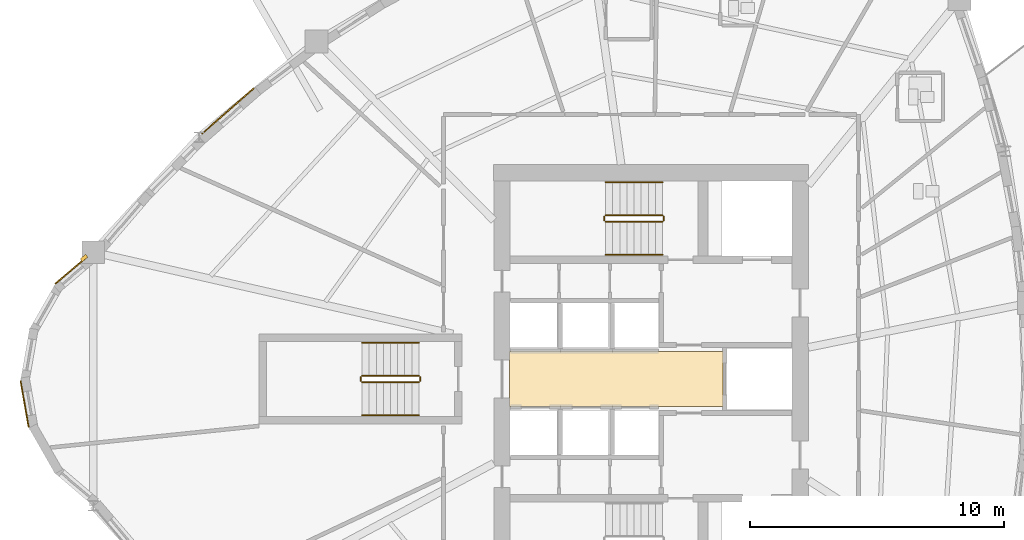
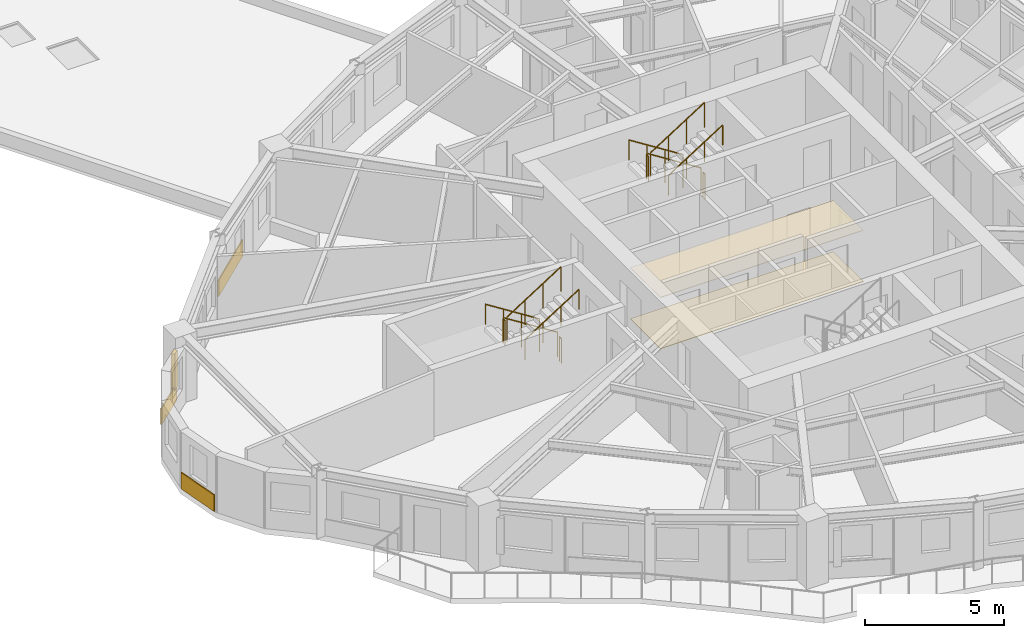
# One storey, part 11 of 13: 12 railings, 5 coverings, 1 shading device.
"""IFC4 building model written with IfcOpenShell, lengths in metres."""

from ifc_helpers import new_model, si_unit, direction, frame, origin, origin_2d, place, context, subcontext, project, spatial, polyline, rectangle, circle, outline, extrude, source, transform, mapped, material, layer, layer_set, type_object, element, save


model = new_model("IFC4")

# Units and contexts
model_context = context("Model", 3, precision=1e-05, world=origin(), true_north=direction((0.0, 1.0)))
body_context = subcontext(model_context, "Body", "Model", "MODEL_VIEW")
ifc_project = project(units=[si_unit("LENGTHUNIT", "METRE"), si_unit("AREAUNIT", "SQUARE_METRE"), si_unit("VOLUMEUNIT", "CUBIC_METRE"), si_unit("PLANEANGLEUNIT", "RADIAN"), si_unit("MASSUNIT", "GRAM", prefix="KILO")], contexts=[model_context])

# Site, building, storey
site_placement = place(None, origin())
site = spatial("IfcSite", under=ifc_project, at=site_placement, CompositionType="ELEMENT")
building_placement = place(site_placement, origin())
building = spatial("IfcBuilding", under=site, at=building_placement, Name="Qafzar Sky-Pleat Residences", CompositionType="ELEMENT")
storey_placement = place(building_placement, frame((0.0, 0.0, 89.60009765625)))
storey = spatial("IfcBuildingStorey", under=building, at=storey_placement, Name="L26", CompositionType="ELEMENT", Elevation=89.60009765625)

# Coverings
ifc_material_1 = material(Name="Perforated acoustic gypsum board ceiling")
ifc_layer_1 = layer(ifc_material_1, 0.02001953125)
ifc_layer_set_1 = layer_set([ifc_layer_1], Name="Perforated acoustic gypsum board ceiling")
covering_type_1 = type_object("IfcCoveringType", Name="COV-CEIL-ACOUSTIC", PredefinedType="CEILING", material=ifc_layer_set_1)
covering_1_placement = place(storey_placement, frame((0.0, 0.0, 2.239990234375)))
element("IfcCovering", 1, at=covering_1_placement, inside=storey, type_object=covering_type_1, Name="L26 Passenger Lift Lobby Acoustic Ceiling", PredefinedType="CEILING", context=body_context, shape_type="SweptSolid", body=[
    extrude(outline(polyline([(33.179931640625, 24.919921875), (24.77001953125, 24.919921875), (24.77001953125, 27.080078125), (33.179931640625, 27.080078125), (33.179931640625, 24.919921875)])), origin(), (0.0, 0.0, 1.0), 0.02001953125),
])
ifc_material_2 = material(Name="Honed porcelain and Riyadh stone tile flooring", Category="masonry")
ifc_layer_2 = layer(ifc_material_2, 0.02001953125)
ifc_layer_set_2 = layer_set([ifc_layer_2], Name="Honed porcelain and Riyadh stone tile flooring")
covering_type_2 = type_object("IfcCoveringType", Name="COV-FLR-PORCELAIN", PredefinedType="FLOORING", material=ifc_layer_set_2)
covering_2_placement = place(storey_placement, origin())
element("IfcCovering", 2, at=covering_2_placement, inside=storey, type_object=covering_type_2, Name="L26 Passenger Lift Lobby Honed Stone Flooring", PredefinedType="FLOORING", context=body_context, shape_type="SweptSolid", body=[
    extrude(outline(polyline([(33.179931640625, 24.919921875), (24.77001953125, 24.919921875), (24.77001953125, 27.080078125), (33.179931640625, 27.080078125), (33.179931640625, 24.919921875)])), origin(), (0.0, 0.0, 1.0), 0.02001953125),
])

# Shading device
ifc_material_3 = material(Name="Honed Riyadh limestone solar fin", Category="masonry")
ifc_layer_3 = layer(ifc_material_3, 0.139892578125)
ifc_layer_set_3 = layer_set([ifc_layer_3], Name="Honed Riyadh limestone solar fin")
shading_device_type = type_object("IfcShadingDeviceType", Name="SHD-FIN-STONE", PredefinedType="SHUTTER", material=ifc_layer_set_3)
shared_shape_1 = source(origin(), body_context, "Body", "SweptSolid", [
    extrude(rectangle(XDim=0.139892578125, YDim=0.280029296875, at=origin_2d()), origin(), (0.0, 0.0, 1.0), 1.60009765625),
])
shading_device_placement = place(storey_placement, frame((8.001220703125, 30.771728515625, 0.599853515625), z_axis=(0.0, 0.0, 1.0), x_axis=(-0.648553503037, 0.761169070377, 0.0)))
element("IfcShadingDevice", 3, at=shading_device_placement, inside=storey, type_object=shading_device_type, Name="L26 Limestone Solar Fin 1", PredefinedType="SHUTTER", context=body_context, shape_type="MappedRepresentation", body=[
    mapped(shared_shape_1, transform((0.0, 0.0, 0.0), x_axis=(1.0, 0.0, 0.0), y_axis=(0.0, 1.0, 0.0), z_axis=(0.0, 0.0, 1.0), scale=1.0)),
])

# Coverings
ifc_material_4 = material(Name="Honed Riyadh Tuwaiq limestone cladding", Category="masonry")
ifc_layer_4 = layer(ifc_material_4, 0.044921875)
ifc_layer_set_4 = layer_set([ifc_layer_4], Name="Honed Riyadh Tuwaiq limestone cladding")
covering_type_3 = type_object("IfcCoveringType", Name="COV-CLAD-STONE", PredefinedType="CLADDING", material=ifc_layer_set_4)
shared_shape_2 = source(origin(), body_context, "Body", "SweptSolid", [
    extrude(rectangle(XDim=1.86572265625, YDim=0.044921875, at=origin_2d()), origin(), (0.0, 0.0, 1.0), 0.719970703125),
])
covering_3_placement = place(storey_placement, frame((5.66064453125, 25.0126953125, 0.02001953125), z_axis=(0.0, 0.0, 1.0), x_axis=(0.172161515838, -0.985068734893, 0.0)))
element("IfcCovering", 4, at=covering_3_placement, inside=storey, type_object=covering_type_3, Name="L26 Riyadh Limestone Spandrel Cladding 4", PredefinedType="CLADDING", context=body_context, shape_type="MappedRepresentation", body=[
    mapped(shared_shape_2, transform((0.0, 0.0, 0.0), x_axis=(1.0, 0.0, 0.0), y_axis=(0.0, 1.0, 0.0), z_axis=(0.0, 0.0, 1.0), scale=1.0)),
])
shared_shape_3 = source(origin(), body_context, "Body", "SweptSolid", [
    extrude(rectangle(XDim=1.62451171875, YDim=0.044921875, at=origin_2d()), origin(), (0.0, 0.0, 1.0), 0.719970703125),
])
covering_4_placement = place(storey_placement, frame((7.48876953125, 30.278564453125, 0.02001953125), z_axis=(0.0, 0.0, 1.0), x_axis=(-0.761200687732, -0.648516393777, 0.0)))
element("IfcCovering", 5, at=covering_4_placement, inside=storey, type_object=covering_type_3, Name="L26 Riyadh Limestone Spandrel Cladding 1", PredefinedType="CLADDING", context=body_context, shape_type="MappedRepresentation", body=[
    mapped(shared_shape_3, transform((0.0, 0.0, 0.0), x_axis=(1.0, 0.0, 0.0), y_axis=(0.0, 1.0, 0.0), z_axis=(0.0, 0.0, 1.0), scale=1.0)),
])
shared_shape_4 = source(origin(), body_context, "Body", "SweptSolid", [
    extrude(rectangle(XDim=2.716796875, YDim=0.044921875, at=origin_2d()), origin(), (0.0, 0.0, 1.0), 0.719970703125),
])
covering_5_placement = place(storey_placement, frame((13.66845703125, 36.56005859375, 0.02001953125), z_axis=(0.0, 0.0, 1.0), x_axis=(-0.7514983094, -0.659735015721, 0.0)))
element("IfcCovering", 6, at=covering_5_placement, inside=storey, type_object=covering_type_3, Name="L26 Riyadh Limestone Spandrel Cladding 46", PredefinedType="CLADDING", context=body_context, shape_type="MappedRepresentation", body=[
    mapped(shared_shape_4, transform((0.0, 0.0, 0.0), x_axis=(1.0, 0.0, 0.0), y_axis=(0.0, 1.0, 0.0), z_axis=(0.0, 0.0, 1.0), scale=1.0)),
])

# Railings
ifc_material_5 = material(Name="Painted Steel S355 stair guardrail", Category="steel")
railing_type_1 = type_object("IfcRailingType", Name="RAIL-STAIR-GUARD", PredefinedType="GUARDRAIL", material=ifc_material_5)
shared_shape_5 = source(origin(), body_context, "Body", "SweptSolid", [
    extrude(circle(Radius=0.02392578125, at=origin_2d()), frame((0.0, 0.0, 1.076171875), z_axis=(0.0, -1.0, 0.0), x_axis=(1.0, 0.0, 0.0)), (0.0, 0.0, 1.0), 0.14990234375),
    extrude(circle(Radius=0.02099609375, at=origin_2d()), origin(), (0.0, 0.0, 1.0), 1.052001953125),
    extrude(circle(Radius=0.02099609375, at=origin_2d()), frame((0.0, -0.14990234375, 0.0)), (0.0, 0.0, 1.0), 1.052001953125),
])
for number, where, name in (
    (7, (28.510009765625, 32.39990234375, 1.599853515625), "L26 ST2 stair guard 2"),
    (8, (30.85009765625, 32.39990234375, 0.0), "L26 ST2 stair guard 4"),
    (9, (18.909912109375, 26.074951171875, 1.599853515625), "L26 ST3 stair guard 2"),
    (10, (21.25, 26.074951171875, 0.0), "L26 ST3 stair guard 4"),
):
    element("IfcRailing", number, at=place(storey_placement, frame(where)), inside=storey, type_object=railing_type_1, Name=name, PredefinedType="GUARDRAIL", context=body_context, shape_type="MappedRepresentation", body=[
        mapped(shared_shape_5, transform((0.0, 0.0, 0.0), x_axis=(1.0, 0.0, 0.0), y_axis=(0.0, 1.0, 0.0), z_axis=(0.0, 0.0, 1.0), scale=1.0)),
    ])
shared_shape_6 = source(origin(), body_context, "Body", "SweptSolid", [
    extrude(circle(Radius=0.02392578125, at=origin_2d()), frame((0.0, 0.0, 1.076171875), z_axis=(-0.8442293374, 0.0, 0.53598211339), x_axis=(0.0, -1.0, 0.0)), (0.0, 0.0, 1.0), 2.6533203125),
    extrude(circle(Radius=0.02099609375, at=origin_2d()), origin(), (0.0, 0.0, 1.0), 1.052001953125),
    extrude(circle(Radius=0.02099609375, at=origin_2d()), frame((-0.74658203125, 0.0, 0.47412109375)), (0.0, 0.0, 1.0), 1.052001953125),
    extrude(circle(Radius=0.02099609375, at=origin_2d()), frame((-1.493408203125, 0.0, 0.947998046875)), (0.0, 0.0, 1.0), 1.052001953125),
    extrude(circle(Radius=0.02099609375, at=origin_2d()), frame((-2.239990234375, 0.0, 1.422119140625)), (0.0, 0.0, 1.0), 1.052001953125),
])
for number, where, name in (
    (11, (30.800048828125, 32.449951171875, 0.177734375), "L26 ST2 stair guard 1"),
    (12, (21.199951171875, 26.125, 0.177734375), "L26 ST3 stair guard 1"),
):
    element("IfcRailing", number, at=place(storey_placement, frame(where)), inside=storey, type_object=railing_type_1, Name=name, PredefinedType="GUARDRAIL", context=body_context, shape_type="MappedRepresentation", body=[
        mapped(shared_shape_6, transform((0.0, 0.0, 0.0), x_axis=(1.0, 0.0, 0.0), y_axis=(0.0, 1.0, 0.0), z_axis=(0.0, 0.0, 1.0), scale=1.0)),
    ])
ifc_material_6 = material(Name="Brushed stainless steel handrail", Category="steel")
railing_type_2 = type_object("IfcRailingType", Name="RAIL-STAIR-HAND", PredefinedType="HANDRAIL", material=ifc_material_6)
shared_shape_7 = source(origin(), body_context, "Body", "SweptSolid", [
    extrude(circle(Radius=0.02392578125, at=origin_2d()), frame((0.0, 0.0, 0.8759765625), z_axis=(-0.8442293374, 0.0, 0.53598211339), x_axis=(0.0, -1.0, 0.0)), (0.0, 0.0, 1.0), 2.6533203125),
    extrude(circle(Radius=0.02099609375, at=origin_2d()), origin(), (0.0, 0.0, 1.0), 0.851806640625),
    extrude(circle(Radius=0.02099609375, at=origin_2d()), frame((-0.74658203125, 0.0, 0.47412109375)), (0.0, 0.0, 1.0), 0.851806640625),
    extrude(circle(Radius=0.02099609375, at=origin_2d()), frame((-1.493408203125, 0.0, 0.947998046875)), (0.0, 0.0, 1.0), 0.851806640625),
    extrude(circle(Radius=0.02099609375, at=origin_2d()), frame((-2.239990234375, 0.0, 1.422119140625)), (0.0, 0.0, 1.0), 0.851806640625),
])
for number, where, name in (
    (13, (30.800048828125, 33.75, 0.177734375), "L26 ST2 stair handrail 1"),
    (14, (21.199951171875, 27.425048828125, 0.177734375), "L26 ST3 stair handrail 1"),
):
    element("IfcRailing", number, at=place(storey_placement, frame(where)), inside=storey, type_object=railing_type_2, Name=name, PredefinedType="HANDRAIL", context=body_context, shape_type="MappedRepresentation", body=[
        mapped(shared_shape_7, transform((0.0, 0.0, 0.0), x_axis=(1.0, 0.0, 0.0), y_axis=(0.0, 1.0, 0.0), z_axis=(0.0, 0.0, 1.0), scale=1.0)),
    ])
shared_shape_8 = source(origin(), body_context, "Body", "SweptSolid", [
    extrude(circle(Radius=0.02392578125, at=origin_2d()), frame((0.0, 0.0, 1.076171875), z_axis=(0.84418770128, 0.0, 0.536047689118), x_axis=(0.0, 1.0, 0.0)), (0.0, 0.0, 1.0), 2.6533203125),
    extrude(circle(Radius=0.02099609375, at=origin_2d()), origin(), (0.0, 0.0, 1.0), 1.052001953125),
    extrude(circle(Radius=0.02099609375, at=origin_2d()), frame((0.74658203125, 0.0, 0.47412109375)), (0.0, 0.0, 1.0), 1.052001953125),
    extrude(circle(Radius=0.02099609375, at=origin_2d()), frame((1.493408203125, 0.0, 0.9482421875)), (0.0, 0.0, 1.0), 1.052001953125),
    extrude(circle(Radius=0.02099609375, at=origin_2d()), frame((2.239990234375, 0.0, 1.42236328125)), (0.0, 0.0, 1.0), 1.052001953125),
])
for number, where, name in (
    (15, (28.56005859375, 32.199951171875, 1.777587890625), "L26 ST2 stair guard 3"),
    (16, (18.9599609375, 25.875, 1.777587890625), "L26 ST3 stair guard 3"),
):
    element("IfcRailing", number, at=place(storey_placement, frame(where)), inside=storey, type_object=railing_type_1, Name=name, PredefinedType="GUARDRAIL", context=body_context, shape_type="MappedRepresentation", body=[
        mapped(shared_shape_8, transform((0.0, 0.0, 0.0), x_axis=(1.0, 0.0, 0.0), y_axis=(0.0, 1.0, 0.0), z_axis=(0.0, 0.0, 1.0), scale=1.0)),
    ])
shared_shape_9 = source(origin(), body_context, "Body", "SweptSolid", [
    extrude(circle(Radius=0.02392578125, at=origin_2d()), frame((0.0, 0.0, 0.8759765625), z_axis=(0.84418770128, 0.0, 0.536047689118), x_axis=(0.0, 1.0, 0.0)), (0.0, 0.0, 1.0), 2.6533203125),
    extrude(circle(Radius=0.02099609375, at=origin_2d()), origin(), (0.0, 0.0, 1.0), 0.851806640625),
    extrude(circle(Radius=0.02099609375, at=origin_2d()), frame((0.74658203125, 0.0, 0.47412109375)), (0.0, 0.0, 1.0), 0.851806640625),
    extrude(circle(Radius=0.02099609375, at=origin_2d()), frame((1.493408203125, 0.0, 0.9482421875)), (0.0, 0.0, 1.0), 0.851806640625),
    extrude(circle(Radius=0.02099609375, at=origin_2d()), frame((2.239990234375, 0.0, 1.42236328125)), (0.0, 0.0, 1.0), 0.851806640625),
])
for number, where, name in (
    (17, (28.56005859375, 30.89990234375, 1.777587890625), "L26 ST2 stair handrail 2"),
    (18, (18.9599609375, 24.574951171875, 1.777587890625), "L26 ST3 stair handrail 2"),
):
    element("IfcRailing", number, at=place(storey_placement, frame(where)), inside=storey, type_object=railing_type_2, Name=name, PredefinedType="HANDRAIL", context=body_context, shape_type="MappedRepresentation", body=[
        mapped(shared_shape_9, transform((0.0, 0.0, 0.0), x_axis=(1.0, 0.0, 0.0), y_axis=(0.0, 1.0, 0.0), z_axis=(0.0, 0.0, 1.0), scale=1.0)),
    ])

save(model, "model.ifc")
